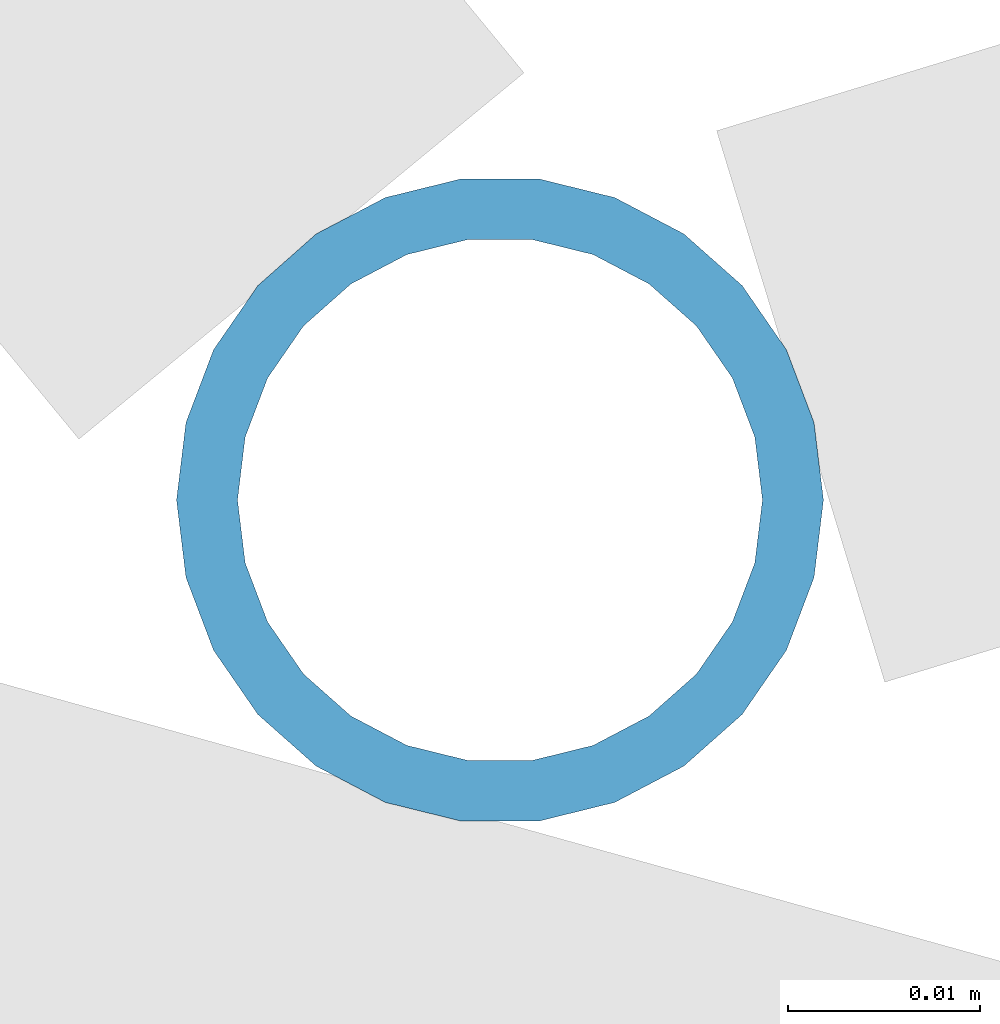
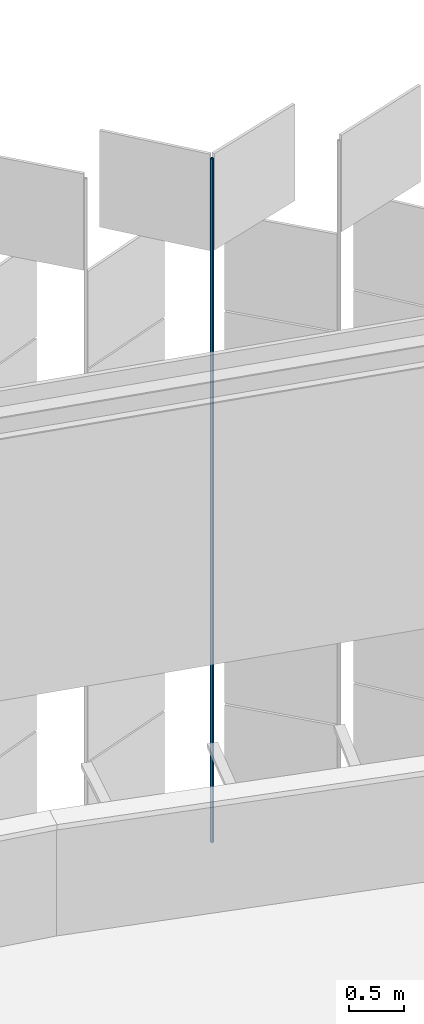
# One storey, part 405 of 483: 1 discrete accessory.
"""IFC4 building model written with IfcOpenShell, lengths in metres."""

from ifc_helpers import new_model, si_unit, direction, frame, origin, origin_2d, place, context, subcontext, project, spatial, hollow_circle, extrude, material, material_profile, profile_set, type_object, element, save


model = new_model("IFC4")

# Units and contexts
model_context = context("Model", 3, precision=1e-05, world=origin(), true_north=direction((0.0, 1.0)))
body_context = subcontext(model_context, "Body", "Model", "MODEL_VIEW")
ifc_project = project(units=[si_unit("LENGTHUNIT", "METRE"), si_unit("AREAUNIT", "SQUARE_METRE"), si_unit("VOLUMEUNIT", "CUBIC_METRE"), si_unit("PLANEANGLEUNIT", "RADIAN"), si_unit("MASSUNIT", "GRAM", prefix="KILO")], contexts=[model_context])

# Site, building, storey
site_placement = place(None, origin())
site = spatial("IfcSite", under=ifc_project, at=site_placement, CompositionType="ELEMENT")
building_placement = place(site_placement, origin())
building = spatial("IfcBuilding", under=site, at=building_placement, Name="Parallax Yard Mobility Hub", CompositionType="ELEMENT")
storey_placement = place(building_placement, frame((0.0, 0.0, 13.199951171875)))
storey = spatial("IfcBuildingStorey", under=building, at=storey_placement, Name="L04", CompositionType="ELEMENT", Elevation=13.199951171875)

# Discrete accessory
ifc_material = material(Name="Steel ASTM A500 Gr C, hot-dip galvanised", Category="steel")
ifc_material_profile = material_profile(ifc_material, hollow_circle(Radius=0.016845703125, WallThickness=0.003173828125, at=origin_2d()), Name="CHS 33.7x3.2")
ifc_profile_set = profile_set([ifc_material_profile], Name="Steel ASTM A500 Gr C, hot-dip galvanised")
discrete_accessory_type = type_object("IfcDiscreteAccessoryType", Name="Hinge post CHS 33.7x3.2", PredefinedType="BRACKET", material=ifc_profile_set)
discrete_accessory_placement = place(storey_placement, frame((186.685791015625, 141.396728515625, 0.0), z_axis=(0.0, 0.0, 1.0), x_axis=(1.0, 0.0, 0.0)))
element("IfcDiscreteAccessory", 1, at=discrete_accessory_placement, inside=storey, type_object=discrete_accessory_type, Name="Hinge post bay 49.3 level L04", PredefinedType="BRACKET", context=body_context, shape_type="SweptSolid", body=[
    extrude(hollow_circle(Radius=0.016845703125, WallThickness=0.003173828125, at=origin_2d()), origin(), (0.0, 0.0, 1.0), 7.650146484375),
])

save(model, "model.ifc")
